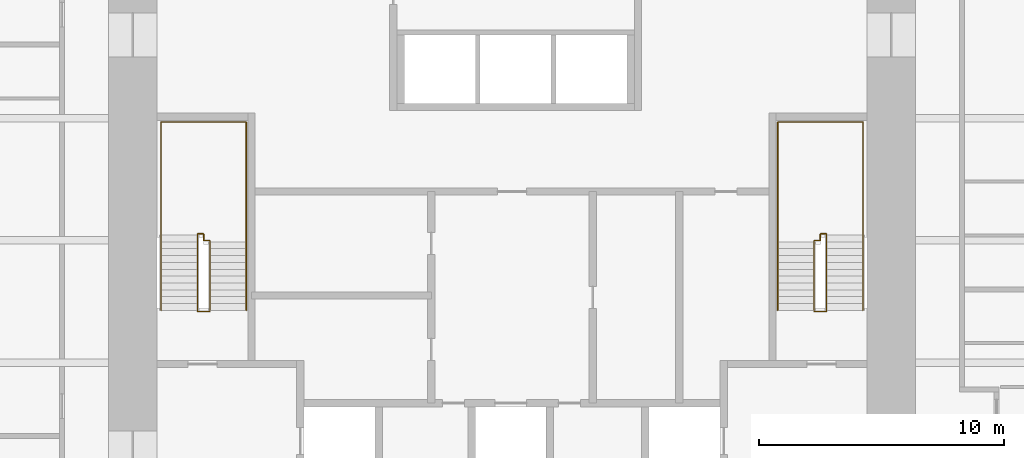
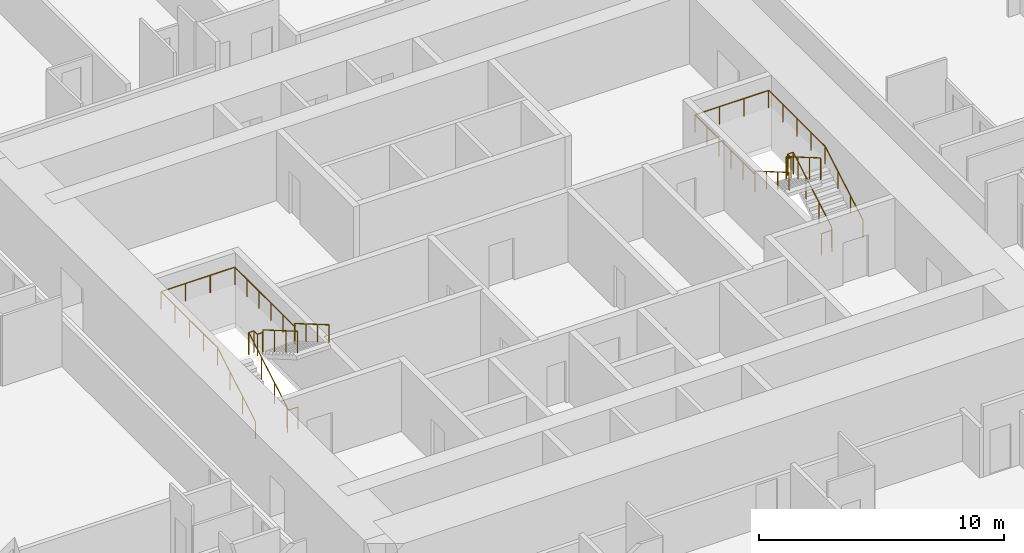
# One storey, part 20 of 20: 4 railings.
"""IFC4 building model written with IfcOpenShell, lengths in metres."""

from ifc_helpers import new_model, si_unit, direction, frame, origin, origin_2d, place, context, subcontext, project, spatial, circle, extrude, material, type_object, element, save


model = new_model("IFC4")

# Units and contexts
model_context = context("Model", 3, precision=1e-05, world=origin(), true_north=direction((0.0, 1.0)))
body_context = subcontext(model_context, "Body", "Model", "MODEL_VIEW")
ifc_project = project(units=[si_unit("LENGTHUNIT", "METRE"), si_unit("AREAUNIT", "SQUARE_METRE"), si_unit("VOLUMEUNIT", "CUBIC_METRE"), si_unit("PLANEANGLEUNIT", "RADIAN"), si_unit("MASSUNIT", "GRAM", prefix="KILO")], contexts=[model_context])

# Site, building, storey
site_placement = place(None, origin())
site = spatial("IfcSite", under=ifc_project, at=site_placement, CompositionType="ELEMENT")
building_placement = place(site_placement, origin())
building = spatial("IfcBuilding", under=site, at=building_placement, Name="Khuree Lantern Residences", CompositionType="ELEMENT")
storey_placement = place(building_placement, frame((0.0, 0.0, 21.0)))
storey = spatial("IfcBuildingStorey", under=building, at=storey_placement, Name="L04", CompositionType="ELEMENT", Elevation=21.0)

# Railings
ifc_material = material(Name="Steel S355", Category="steel")
railing_type_1 = type_object("IfcRailingType", Name="STAIR GUARD G1 1100", PredefinedType="GUARDRAIL", material=ifc_material)
railing_1_placement = place(storey_placement, frame((-12.35009765625, -2.909912109375, 0.0)))
element("IfcRailing", 1, at=railing_1_placement, inside=storey, type_object=railing_type_1, Name="Stair ST1 guard", PredefinedType="GUARDRAIL", context=body_context, shape_type="SweptSolid", body=[
    extrude(circle(Radius=0.02392578125, at=origin_2d()), frame((0.0, 0.0, 1.076171875), z_axis=(-1.0, 0.0, 0.0), x_axis=(0.0, -1.0, 0.0)), (0.0, 0.0, 1.0), 0.5),
    extrude(circle(Radius=0.02392578125, at=origin_2d()), frame((-0.5, 0.0, 1.076171875), z_axis=(0.0, 0.292073035251, 0.95639601739), x_axis=(-1.0, 0.0, 0.0)), (0.0, 0.0, 1.0), 0.17041015625),
    extrude(circle(Radius=0.02392578125, at=origin_2d()), frame((-0.5, 0.0498046875, 1.2392578125), z_axis=(0.0, 0.864176135923, 0.503189433615), x_axis=(-1.0, 0.0, 0.0)), (0.0, 0.0, 1.0), 3.564208984375),
    extrude(circle(Radius=0.02392578125, at=origin_2d()), frame((-0.5, 3.1298828125, 3.03271484375), z_axis=(0.0, 1.0, 0.0), x_axis=(-1.0, 0.0, 0.0)), (0.0, 0.0, 1.0), 0.050048828125),
    extrude(circle(Radius=0.02392578125, at=origin_2d()), frame((-0.5, 3.179931640625, 3.03271484375), z_axis=(1.0, 0.0, 0.0), x_axis=(0.0, 1.0, 0.0)), (0.0, 0.0, 1.0), 0.25),
    extrude(circle(Radius=0.02392578125, at=origin_2d()), frame((-0.25, 3.179931640625, 3.03271484375), z_axis=(0.0, -1.0, 0.0), x_axis=(1.0, 0.0, 0.0)), (0.0, 0.0, 1.0), 0.280029296875),
    extrude(circle(Radius=0.02392578125, at=origin_2d()), frame((-0.25, 2.89990234375, 3.03271484375), z_axis=(1.0, 0.0, 0.0), x_axis=(0.0, 1.0, 0.0)), (0.0, 0.0, 1.0), 0.25),
    extrude(circle(Radius=0.02392578125, at=origin_2d()), frame((0.0, 2.89990234375, 3.03271484375), z_axis=(0.0, -0.293381807449, 0.955995353053), x_axis=(1.0, 0.0, 0.0)), (0.0, 0.0, 1.0), 0.170654296875),
    extrude(circle(Radius=0.02392578125, at=origin_2d()), frame((0.0, 2.849853515625, 3.19580078125), z_axis=(0.0, -0.864180358799, 0.503182181189), x_axis=(1.0, 0.0, 0.0)), (0.0, 0.0, 1.0), 3.240234375),
    extrude(circle(Radius=0.02099609375, at=origin_2d()), origin(), (0.0, 0.0, 1.0), 1.052001953125),
    extrude(circle(Radius=0.02099609375, at=origin_2d()), frame((-0.5, 0.0, 0.0)), (0.0, 0.0, 1.0), 1.052001953125),
    extrude(circle(Radius=0.02099609375, at=origin_2d()), frame((-0.5, 0.0498046875, 0.1630859375)), (0.0, 0.0, 1.0), 1.052001953125),
    extrude(circle(Radius=0.02099609375, at=origin_2d()), frame((-0.5, 1.076416015625, 0.760986328125)), (0.0, 0.0, 1.0), 1.052001953125),
    extrude(circle(Radius=0.02099609375, at=origin_2d()), frame((-0.5, 2.103271484375, 1.358642578125)), (0.0, 0.0, 1.0), 1.052001953125),
    extrude(circle(Radius=0.02099609375, at=origin_2d()), frame((-0.5, 3.1298828125, 1.95654296875)), (0.0, 0.0, 1.0), 1.052001953125),
    extrude(circle(Radius=0.02099609375, at=origin_2d()), frame((-0.5, 3.179931640625, 1.95654296875)), (0.0, 0.0, 1.0), 1.052001953125),
    extrude(circle(Radius=0.02099609375, at=origin_2d()), frame((-0.25, 3.179931640625, 1.95654296875)), (0.0, 0.0, 1.0), 1.052001953125),
    extrude(circle(Radius=0.02099609375, at=origin_2d()), frame((-0.25, 2.89990234375, 1.95654296875)), (0.0, 0.0, 1.0), 1.052001953125),
    extrude(circle(Radius=0.02099609375, at=origin_2d()), frame((0.0, 2.89990234375, 1.95654296875)), (0.0, 0.0, 1.0), 1.052001953125),
    extrude(circle(Radius=0.02099609375, at=origin_2d()), frame((0.0, 2.849853515625, 2.11962890625)), (0.0, 0.0, 1.0), 1.052001953125),
    extrude(circle(Radius=0.02099609375, at=origin_2d()), frame((0.0, 1.91650390625, 2.6630859375)), (0.0, 0.0, 1.0), 1.052001953125),
    extrude(circle(Radius=0.02099609375, at=origin_2d()), frame((0.0, 0.983154296875, 3.20654296875)), (0.0, 0.0, 1.0), 1.052001953125),
    extrude(circle(Radius=0.02099609375, at=origin_2d()), frame((0.0, 0.0498046875, 3.75)), (0.0, 0.0, 1.0), 1.052001953125),
])
railing_2_placement = place(storey_placement, frame((12.35009765625, -2.909912109375, 0.0)))
element("IfcRailing", 2, at=railing_2_placement, inside=storey, type_object=railing_type_1, Name="Stair ST2 guard", PredefinedType="GUARDRAIL", context=body_context, shape_type="SweptSolid", body=[
    extrude(circle(Radius=0.02392578125, at=origin_2d()), frame((0.0, 0.0, 1.076171875), z_axis=(1.0, 0.0, 0.0), x_axis=(0.0, 1.0, 0.0)), (0.0, 0.0, 1.0), 0.5),
    extrude(circle(Radius=0.02392578125, at=origin_2d()), frame((0.5, 0.0, 1.076171875), z_axis=(0.0, 0.292073035251, 0.95639601739), x_axis=(-1.0, 0.0, 0.0)), (0.0, 0.0, 1.0), 0.17041015625),
    extrude(circle(Radius=0.02392578125, at=origin_2d()), frame((0.5, 0.0498046875, 1.2392578125), z_axis=(0.0, 0.864176135923, 0.503189433615), x_axis=(-1.0, 0.0, 0.0)), (0.0, 0.0, 1.0), 3.564208984375),
    extrude(circle(Radius=0.02392578125, at=origin_2d()), frame((0.5, 3.1298828125, 3.03271484375), z_axis=(0.0, 1.0, 0.0), x_axis=(-1.0, 0.0, 0.0)), (0.0, 0.0, 1.0), 0.050048828125),
    extrude(circle(Radius=0.02392578125, at=origin_2d()), frame((0.5, 3.179931640625, 3.03271484375), z_axis=(-1.0, 0.0, 0.0), x_axis=(0.0, -1.0, 0.0)), (0.0, 0.0, 1.0), 0.25),
    extrude(circle(Radius=0.02392578125, at=origin_2d()), frame((0.25, 3.179931640625, 3.03271484375), z_axis=(0.0, -1.0, 0.0), x_axis=(1.0, 0.0, 0.0)), (0.0, 0.0, 1.0), 0.280029296875),
    extrude(circle(Radius=0.02392578125, at=origin_2d()), frame((0.25, 2.89990234375, 3.03271484375), z_axis=(-1.0, 0.0, 0.0), x_axis=(0.0, -1.0, 0.0)), (0.0, 0.0, 1.0), 0.25),
    extrude(circle(Radius=0.02392578125, at=origin_2d()), frame((0.0, 2.89990234375, 3.03271484375), z_axis=(0.0, -0.293381807449, 0.955995353053), x_axis=(1.0, 0.0, 0.0)), (0.0, 0.0, 1.0), 0.170654296875),
    extrude(circle(Radius=0.02392578125, at=origin_2d()), frame((0.0, 2.849853515625, 3.19580078125), z_axis=(0.0, -0.864180358799, 0.503182181189), x_axis=(1.0, 0.0, 0.0)), (0.0, 0.0, 1.0), 3.240234375),
    extrude(circle(Radius=0.02099609375, at=origin_2d()), origin(), (0.0, 0.0, 1.0), 1.052001953125),
    extrude(circle(Radius=0.02099609375, at=origin_2d()), frame((0.5, 0.0, 0.0)), (0.0, 0.0, 1.0), 1.052001953125),
    extrude(circle(Radius=0.02099609375, at=origin_2d()), frame((0.5, 0.0498046875, 0.1630859375)), (0.0, 0.0, 1.0), 1.052001953125),
    extrude(circle(Radius=0.02099609375, at=origin_2d()), frame((0.5, 1.076416015625, 0.760986328125)), (0.0, 0.0, 1.0), 1.052001953125),
    extrude(circle(Radius=0.02099609375, at=origin_2d()), frame((0.5, 2.103271484375, 1.358642578125)), (0.0, 0.0, 1.0), 1.052001953125),
    extrude(circle(Radius=0.02099609375, at=origin_2d()), frame((0.5, 3.1298828125, 1.95654296875)), (0.0, 0.0, 1.0), 1.052001953125),
    extrude(circle(Radius=0.02099609375, at=origin_2d()), frame((0.5, 3.179931640625, 1.95654296875)), (0.0, 0.0, 1.0), 1.052001953125),
    extrude(circle(Radius=0.02099609375, at=origin_2d()), frame((0.25, 3.179931640625, 1.95654296875)), (0.0, 0.0, 1.0), 1.052001953125),
    extrude(circle(Radius=0.02099609375, at=origin_2d()), frame((0.25, 2.89990234375, 1.95654296875)), (0.0, 0.0, 1.0), 1.052001953125),
    extrude(circle(Radius=0.02099609375, at=origin_2d()), frame((0.0, 2.89990234375, 1.95654296875)), (0.0, 0.0, 1.0), 1.052001953125),
    extrude(circle(Radius=0.02099609375, at=origin_2d()), frame((0.0, 2.849853515625, 2.11962890625)), (0.0, 0.0, 1.0), 1.052001953125),
    extrude(circle(Radius=0.02099609375, at=origin_2d()), frame((0.0, 1.91650390625, 2.6630859375)), (0.0, 0.0, 1.0), 1.052001953125),
    extrude(circle(Radius=0.02099609375, at=origin_2d()), frame((0.0, 0.983154296875, 3.20654296875)), (0.0, 0.0, 1.0), 1.052001953125),
    extrude(circle(Radius=0.02099609375, at=origin_2d()), frame((0.0, 0.0498046875, 3.75)), (0.0, 0.0, 1.0), 1.052001953125),
])
railing_type_2 = type_object("IfcRailingType", Name="STAIR HANDRAIL H1 900", PredefinedType="HANDRAIL", material=ifc_material)
railing_3_placement = place(storey_placement, frame((-14.340087890625, -2.860107421875, 0.1630859375)))
element("IfcRailing", 3, at=railing_3_placement, inside=storey, type_object=railing_type_2, Name="Stair ST1 handrail", PredefinedType="HANDRAIL", context=body_context, shape_type="SweptSolid", body=[
    extrude(circle(Radius=0.02392578125, at=origin_2d()), frame((0.0, 0.0, 0.8759765625), z_axis=(0.0, 0.864176135923, 0.503189433615), x_axis=(-1.0, 0.0, 0.0)), (0.0, 0.0, 1.0), 3.564208984375),
    extrude(circle(Radius=0.02392578125, at=origin_2d()), frame((0.0, 3.080078125, 2.66943359375), z_axis=(0.0, 1.0, 0.0), x_axis=(-1.0, 0.0, 0.0)), (0.0, 0.0, 1.0), 4.6201171875),
    extrude(circle(Radius=0.02392578125, at=origin_2d()), frame((0.0, 7.7001953125, 2.66943359375), z_axis=(1.0, 0.0, 0.0), x_axis=(0.0, 1.0, 0.0)), (0.0, 0.0, 1.0), 3.47998046875),
    extrude(circle(Radius=0.02392578125, at=origin_2d()), frame((3.47998046875, 7.7001953125, 2.66943359375), z_axis=(0.0, -1.0, 0.0), x_axis=(1.0, 0.0, 0.0)), (0.0, 0.0, 1.0), 4.900146484375),
    extrude(circle(Radius=0.02392578125, at=origin_2d()), frame((3.47998046875, 2.800048828125, 2.66943359375), z_axis=(0.0, 0.0, 1.0), x_axis=(1.0, 0.0, 0.0)), (0.0, 0.0, 1.0), 0.1630859375),
    extrude(circle(Radius=0.02392578125, at=origin_2d()), frame((3.47998046875, 2.800048828125, 2.83251953125), z_axis=(0.0, -0.864180358799, 0.503182181189), x_axis=(1.0, 0.0, 0.0)), (0.0, 0.0, 1.0), 3.240234375),
    extrude(circle(Radius=0.02099609375, at=origin_2d()), origin(), (0.0, 0.0, 1.0), 0.851806640625),
    extrude(circle(Radius=0.02099609375, at=origin_2d()), frame((0.0, 1.026611328125, 0.597900390625)), (0.0, 0.0, 1.0), 0.851806640625),
    extrude(circle(Radius=0.02099609375, at=origin_2d()), frame((0.0, 2.053466796875, 1.195556640625)), (0.0, 0.0, 1.0), 0.851806640625),
    extrude(circle(Radius=0.02099609375, at=origin_2d()), frame((0.0, 3.080078125, 1.79345703125)), (0.0, 0.0, 1.0), 0.851806640625),
    extrude(circle(Radius=0.02099609375, at=origin_2d()), frame((0.0, 4.235107421875, 1.79345703125)), (0.0, 0.0, 1.0), 0.851806640625),
    extrude(circle(Radius=0.02099609375, at=origin_2d()), frame((0.0, 5.39013671875, 1.79345703125)), (0.0, 0.0, 1.0), 0.851806640625),
    extrude(circle(Radius=0.02099609375, at=origin_2d()), frame((0.0, 6.545166015625, 1.79345703125)), (0.0, 0.0, 1.0), 0.851806640625),
    extrude(circle(Radius=0.02099609375, at=origin_2d()), frame((0.0, 7.7001953125, 1.79345703125)), (0.0, 0.0, 1.0), 0.851806640625),
    extrude(circle(Radius=0.02099609375, at=origin_2d()), frame((1.159912109375, 7.7001953125, 1.79345703125)), (0.0, 0.0, 1.0), 0.851806640625),
    extrude(circle(Radius=0.02099609375, at=origin_2d()), frame((2.320068359375, 7.7001953125, 1.79345703125)), (0.0, 0.0, 1.0), 0.851806640625),
    extrude(circle(Radius=0.02099609375, at=origin_2d()), frame((3.47998046875, 7.7001953125, 1.79345703125)), (0.0, 0.0, 1.0), 0.851806640625),
    extrude(circle(Radius=0.02099609375, at=origin_2d()), frame((3.47998046875, 6.72021484375, 1.79345703125)), (0.0, 0.0, 1.0), 0.851806640625),
    extrude(circle(Radius=0.02099609375, at=origin_2d()), frame((3.47998046875, 5.740234375, 1.79345703125)), (0.0, 0.0, 1.0), 0.851806640625),
    extrude(circle(Radius=0.02099609375, at=origin_2d()), frame((3.47998046875, 4.760009765625, 1.79345703125)), (0.0, 0.0, 1.0), 0.851806640625),
    extrude(circle(Radius=0.02099609375, at=origin_2d()), frame((3.47998046875, 3.780029296875, 1.79345703125)), (0.0, 0.0, 1.0), 0.851806640625),
    extrude(circle(Radius=0.02099609375, at=origin_2d()), frame((3.47998046875, 2.800048828125, 1.79345703125)), (0.0, 0.0, 1.0), 0.851806640625),
    extrude(circle(Radius=0.02099609375, at=origin_2d()), frame((3.47998046875, 2.800048828125, 1.95654296875)), (0.0, 0.0, 1.0), 0.851806640625),
    extrude(circle(Radius=0.02099609375, at=origin_2d()), frame((3.47998046875, 1.86669921875, 2.5)), (0.0, 0.0, 1.0), 0.851806640625),
    extrude(circle(Radius=0.02099609375, at=origin_2d()), frame((3.47998046875, 0.933349609375, 3.04345703125)), (0.0, 0.0, 1.0), 0.851806640625),
    extrude(circle(Radius=0.02099609375, at=origin_2d()), frame((3.47998046875, 0.0, 3.5869140625)), (0.0, 0.0, 1.0), 0.851806640625),
])
railing_4_placement = place(storey_placement, frame((14.340087890625, -2.860107421875, 0.1630859375)))
element("IfcRailing", 4, at=railing_4_placement, inside=storey, type_object=railing_type_2, Name="Stair ST2 handrail", PredefinedType="HANDRAIL", context=body_context, shape_type="SweptSolid", body=[
    extrude(circle(Radius=0.02392578125, at=origin_2d()), frame((0.0, 0.0, 0.8759765625), z_axis=(0.0, 0.864176135923, 0.503189433615), x_axis=(-1.0, 0.0, 0.0)), (0.0, 0.0, 1.0), 3.564208984375),
    extrude(circle(Radius=0.02392578125, at=origin_2d()), frame((0.0, 3.080078125, 2.66943359375), z_axis=(0.0, 1.0, 0.0), x_axis=(-1.0, 0.0, 0.0)), (0.0, 0.0, 1.0), 4.6201171875),
    extrude(circle(Radius=0.02392578125, at=origin_2d()), frame((0.0, 7.7001953125, 2.66943359375), z_axis=(-1.0, 0.0, 0.0), x_axis=(0.0, -1.0, 0.0)), (0.0, 0.0, 1.0), 3.47998046875),
    extrude(circle(Radius=0.02392578125, at=origin_2d()), frame((-3.47998046875, 7.7001953125, 2.66943359375), z_axis=(0.0, -1.0, 0.0), x_axis=(1.0, 0.0, 0.0)), (0.0, 0.0, 1.0), 4.900146484375),
    extrude(circle(Radius=0.02392578125, at=origin_2d()), frame((-3.47998046875, 2.800048828125, 2.66943359375), z_axis=(0.0, 0.0, 1.0), x_axis=(1.0, 0.0, 0.0)), (0.0, 0.0, 1.0), 0.1630859375),
    extrude(circle(Radius=0.02392578125, at=origin_2d()), frame((-3.47998046875, 2.800048828125, 2.83251953125), z_axis=(0.0, -0.864180358799, 0.503182181189), x_axis=(1.0, 0.0, 0.0)), (0.0, 0.0, 1.0), 3.240234375),
    extrude(circle(Radius=0.02099609375, at=origin_2d()), origin(), (0.0, 0.0, 1.0), 0.851806640625),
    extrude(circle(Radius=0.02099609375, at=origin_2d()), frame((0.0, 1.026611328125, 0.597900390625)), (0.0, 0.0, 1.0), 0.851806640625),
    extrude(circle(Radius=0.02099609375, at=origin_2d()), frame((0.0, 2.053466796875, 1.195556640625)), (0.0, 0.0, 1.0), 0.851806640625),
    extrude(circle(Radius=0.02099609375, at=origin_2d()), frame((0.0, 3.080078125, 1.79345703125)), (0.0, 0.0, 1.0), 0.851806640625),
    extrude(circle(Radius=0.02099609375, at=origin_2d()), frame((0.0, 4.235107421875, 1.79345703125)), (0.0, 0.0, 1.0), 0.851806640625),
    extrude(circle(Radius=0.02099609375, at=origin_2d()), frame((0.0, 5.39013671875, 1.79345703125)), (0.0, 0.0, 1.0), 0.851806640625),
    extrude(circle(Radius=0.02099609375, at=origin_2d()), frame((0.0, 6.545166015625, 1.79345703125)), (0.0, 0.0, 1.0), 0.851806640625),
    extrude(circle(Radius=0.02099609375, at=origin_2d()), frame((0.0, 7.7001953125, 1.79345703125)), (0.0, 0.0, 1.0), 0.851806640625),
    extrude(circle(Radius=0.02099609375, at=origin_2d()), frame((-1.159912109375, 7.7001953125, 1.79345703125)), (0.0, 0.0, 1.0), 0.851806640625),
    extrude(circle(Radius=0.02099609375, at=origin_2d()), frame((-2.320068359375, 7.7001953125, 1.79345703125)), (0.0, 0.0, 1.0), 0.851806640625),
    extrude(circle(Radius=0.02099609375, at=origin_2d()), frame((-3.47998046875, 7.7001953125, 1.79345703125)), (0.0, 0.0, 1.0), 0.851806640625),
    extrude(circle(Radius=0.02099609375, at=origin_2d()), frame((-3.47998046875, 6.72021484375, 1.79345703125)), (0.0, 0.0, 1.0), 0.851806640625),
    extrude(circle(Radius=0.02099609375, at=origin_2d()), frame((-3.47998046875, 5.740234375, 1.79345703125)), (0.0, 0.0, 1.0), 0.851806640625),
    extrude(circle(Radius=0.02099609375, at=origin_2d()), frame((-3.47998046875, 4.760009765625, 1.79345703125)), (0.0, 0.0, 1.0), 0.851806640625),
    extrude(circle(Radius=0.02099609375, at=origin_2d()), frame((-3.47998046875, 3.780029296875, 1.79345703125)), (0.0, 0.0, 1.0), 0.851806640625),
    extrude(circle(Radius=0.02099609375, at=origin_2d()), frame((-3.47998046875, 2.800048828125, 1.79345703125)), (0.0, 0.0, 1.0), 0.851806640625),
    extrude(circle(Radius=0.02099609375, at=origin_2d()), frame((-3.47998046875, 2.800048828125, 1.95654296875)), (0.0, 0.0, 1.0), 0.851806640625),
    extrude(circle(Radius=0.02099609375, at=origin_2d()), frame((-3.47998046875, 1.86669921875, 2.5)), (0.0, 0.0, 1.0), 0.851806640625),
    extrude(circle(Radius=0.02099609375, at=origin_2d()), frame((-3.47998046875, 0.933349609375, 3.04345703125)), (0.0, 0.0, 1.0), 0.851806640625),
    extrude(circle(Radius=0.02099609375, at=origin_2d()), frame((-3.47998046875, 0.0, 3.5869140625)), (0.0, 0.0, 1.0), 0.851806640625),
])

save(model, "model.ifc")
